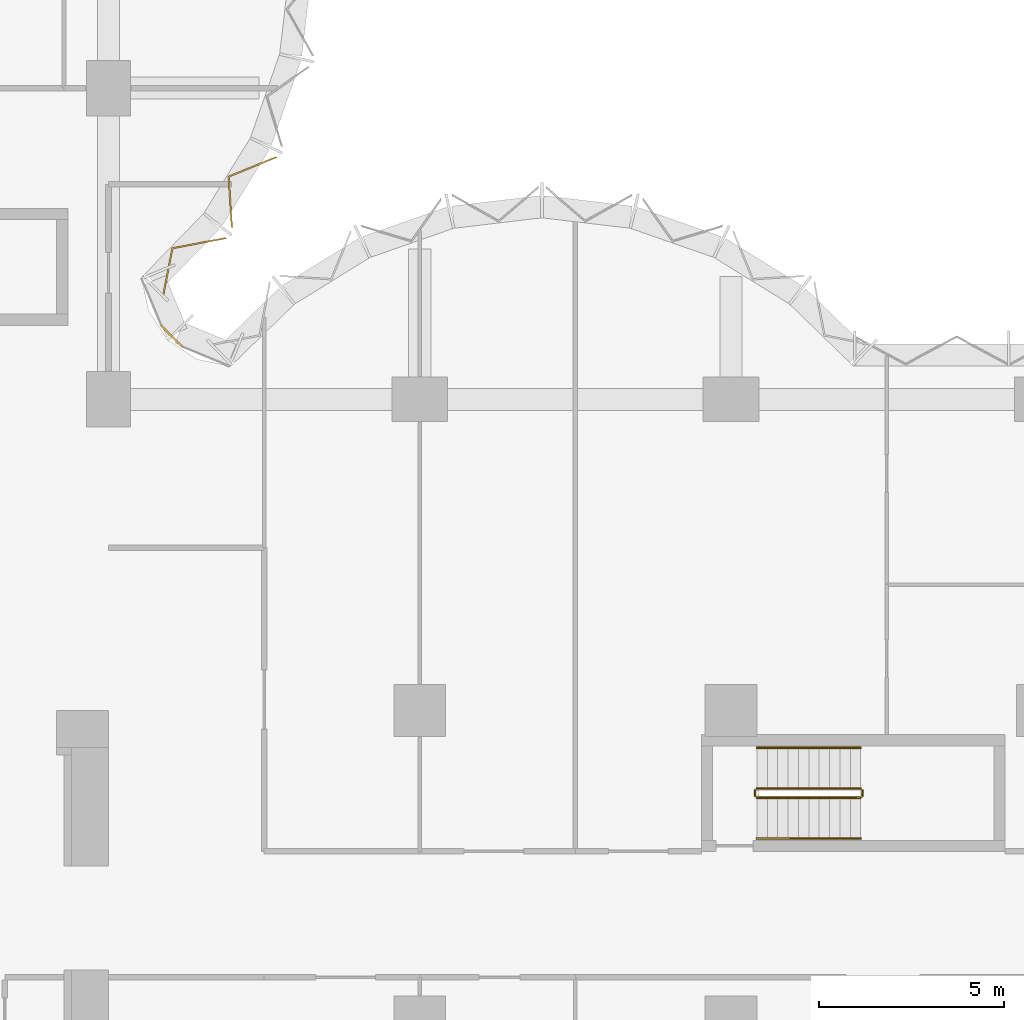
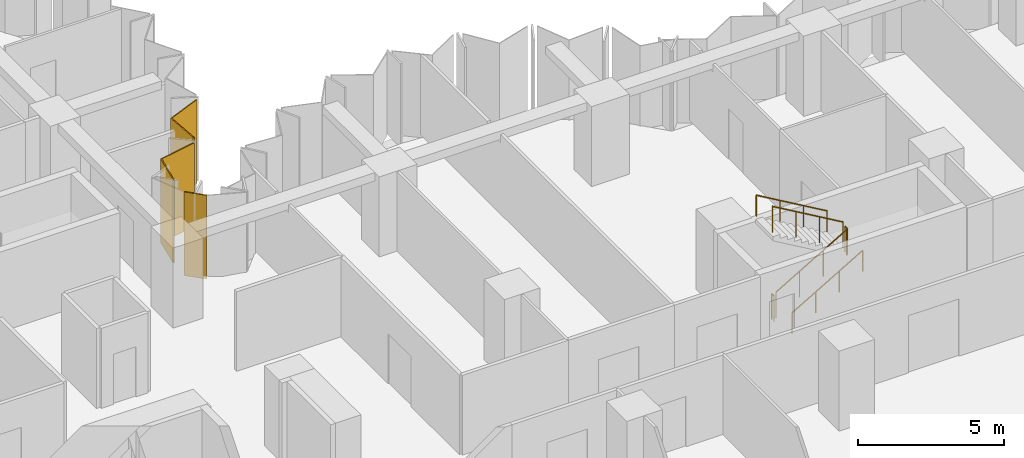
# One storey, part 14 of 15: 6 railings, 3 coverings, 2 elements without a shape of their own.
"""IFC4 building model written with IfcOpenShell, lengths in metres."""

from ifc_helpers import new_model, si_unit, direction, frame, origin, origin_2d, place, context, subcontext, project, spatial, polyline, circle, outline, extrude, material, layer, layer_set, type_object, element, aggregate, save


model = new_model("IFC4")

# Units and contexts
model_context = context("Model", 3, precision=1e-05, world=origin(), true_north=direction((0.0, 1.0)))
body_context = subcontext(model_context, "Body", "Model", "MODEL_VIEW")
ifc_project = project(units=[si_unit("LENGTHUNIT", "METRE"), si_unit("AREAUNIT", "SQUARE_METRE"), si_unit("VOLUMEUNIT", "CUBIC_METRE"), si_unit("PLANEANGLEUNIT", "RADIAN"), si_unit("MASSUNIT", "GRAM", prefix="KILO")], contexts=[model_context])

# Site, building, storey
site_placement = place(None, origin())
site = spatial("IfcSite", under=ifc_project, at=site_placement, CompositionType="ELEMENT")
building_placement = place(site_placement, origin())
building = spatial("IfcBuilding", under=site, at=building_placement, Name="Brevane Broadcast Tower", CompositionType="ELEMENT")
storey_placement = place(building_placement, frame((0.0, 0.0, 72.5)))
storey = spatial("IfcBuildingStorey", under=building, at=storey_placement, Name="L16", CompositionType="ELEMENT", Elevation=72.5)

# Railings
ifc_material_1 = material(Name="Steel S355", Category="steel")
railing_type_1 = type_object("IfcRailingType", Name="Exit stair guard", PredefinedType="GUARDRAIL", material=ifc_material_1)
railing_1_placement = place(storey_placement, frame((42.699951171875, 14.449951171875, 0.16357421875)))
element("IfcRailing", 1, at=railing_1_placement, inside=storey, type_object=railing_type_1, Name="L16 ST-4 stair guard 1", PredefinedType="GUARDRAIL", context=body_context, shape_type="SweptSolid", body=[
    extrude(circle(Radius=0.02392578125, at=origin_2d()), frame((0.0, 0.0, 1.076171875), z_axis=(0.863360870873, 0.0, 0.504586966384), x_axis=(0.0, 1.0, 0.0)), (0.0, 0.0, 1.0), 3.2431640625),
    extrude(circle(Radius=0.02099609375, at=origin_2d()), origin(), (0.0, 0.0, 1.0), 1.052001953125),
    extrude(circle(Radius=0.02099609375, at=origin_2d()), frame((0.933349609375, 0.0, 0.54541015625)), (0.0, 0.0, 1.0), 1.052001953125),
    extrude(circle(Radius=0.02099609375, at=origin_2d()), frame((1.86669921875, 0.0, 1.091064453125)), (0.0, 0.0, 1.0), 1.052001953125),
    extrude(circle(Radius=0.02099609375, at=origin_2d()), frame((2.800048828125, 0.0, 1.636474609375)), (0.0, 0.0, 1.0), 1.052001953125),
])
railing_2_placement = place(storey_placement, frame((45.550048828125, 14.5, 1.800048828125)))
element("IfcRailing", 2, at=railing_2_placement, inside=storey, type_object=railing_type_1, Name="L16 ST-4 stair guard 2", PredefinedType="GUARDRAIL", context=body_context, shape_type="SweptSolid", body=[
    extrude(circle(Radius=0.02392578125, at=origin_2d()), frame((0.0, 0.0, 1.076171875), z_axis=(0.0, 1.0, 0.0), x_axis=(-1.0, 0.0, 0.0)), (0.0, 0.0, 1.0), 0.14990234375),
    extrude(circle(Radius=0.02099609375, at=origin_2d()), origin(), (0.0, 0.0, 1.0), 1.052001953125),
    extrude(circle(Radius=0.02099609375, at=origin_2d()), frame((0.0, 0.14990234375, 0.0)), (0.0, 0.0, 1.0), 1.052001953125),
])
railing_3_placement = place(storey_placement, frame((45.5, 14.699951171875, 1.963623046875)))
element("IfcRailing", 3, at=railing_3_placement, inside=storey, type_object=railing_type_1, Name="L16 ST-4 stair guard 3", PredefinedType="GUARDRAIL", context=body_context, shape_type="SweptSolid", body=[
    extrude(circle(Radius=0.02392578125, at=origin_2d()), frame((0.0, 0.0, 1.076171875), z_axis=(-0.863360870873, 0.0, 0.504586966384), x_axis=(0.0, -1.0, 0.0)), (0.0, 0.0, 1.0), 3.2431640625),
    extrude(circle(Radius=0.02099609375, at=origin_2d()), origin(), (0.0, 0.0, 1.0), 1.052001953125),
    extrude(circle(Radius=0.02099609375, at=origin_2d()), frame((-0.933349609375, 0.0, 0.54541015625)), (0.0, 0.0, 1.0), 1.052001953125),
    extrude(circle(Radius=0.02099609375, at=origin_2d()), frame((-1.86669921875, 0.0, 1.091064453125)), (0.0, 0.0, 1.0), 1.052001953125),
    extrude(circle(Radius=0.02099609375, at=origin_2d()), frame((-2.800048828125, 0.0, 1.636474609375)), (0.0, 0.0, 1.0), 1.052001953125),
])
railing_4_placement = place(storey_placement, frame((42.64990234375, 14.5, 0.0)))
element("IfcRailing", 4, at=railing_4_placement, inside=storey, type_object=railing_type_1, Name="L16 ST-4 stair guard 4", PredefinedType="GUARDRAIL", context=body_context, shape_type="SweptSolid", body=[
    extrude(circle(Radius=0.02392578125, at=origin_2d()), frame((0.0, 0.0, 1.076171875), z_axis=(0.0, 1.0, 0.0), x_axis=(-1.0, 0.0, 0.0)), (0.0, 0.0, 1.0), 0.14990234375),
    extrude(circle(Radius=0.02099609375, at=origin_2d()), origin(), (0.0, 0.0, 1.0), 1.052001953125),
    extrude(circle(Radius=0.02099609375, at=origin_2d()), frame((0.0, 0.14990234375, 0.0)), (0.0, 0.0, 1.0), 1.052001953125),
])
railing_type_2 = type_object("IfcRailingType", Name="Exit stair handrail", PredefinedType="HANDRAIL", material=ifc_material_1)
railing_5_placement = place(storey_placement, frame((42.699951171875, 13.35009765625, 0.16357421875)))
element("IfcRailing", 5, at=railing_5_placement, inside=storey, type_object=railing_type_2, Name="L16 ST-4 stair handrail 1", PredefinedType="HANDRAIL", context=body_context, shape_type="SweptSolid", body=[
    extrude(circle(Radius=0.02392578125, at=origin_2d()), frame((0.0, 0.0, 0.8759765625), z_axis=(0.863360870873, 0.0, 0.504586966384), x_axis=(0.0, 1.0, 0.0)), (0.0, 0.0, 1.0), 3.2431640625),
    extrude(circle(Radius=0.02099609375, at=origin_2d()), origin(), (0.0, 0.0, 1.0), 0.851806640625),
    extrude(circle(Radius=0.02099609375, at=origin_2d()), frame((0.933349609375, 0.0, 0.54541015625)), (0.0, 0.0, 1.0), 0.851806640625),
    extrude(circle(Radius=0.02099609375, at=origin_2d()), frame((1.86669921875, 0.0, 1.091064453125)), (0.0, 0.0, 1.0), 0.851806640625),
    extrude(circle(Radius=0.02099609375, at=origin_2d()), frame((2.800048828125, 0.0, 1.636474609375)), (0.0, 0.0, 1.0), 0.851806640625),
])
railing_6_placement = place(storey_placement, frame((45.5, 15.800048828125, 1.963623046875)))
element("IfcRailing", 6, at=railing_6_placement, inside=storey, type_object=railing_type_2, Name="L16 ST-4 stair handrail 2", PredefinedType="HANDRAIL", context=body_context, shape_type="SweptSolid", body=[
    extrude(circle(Radius=0.02392578125, at=origin_2d()), frame((0.0, 0.0, 0.8759765625), z_axis=(-0.863360870873, 0.0, 0.504586966384), x_axis=(0.0, -1.0, 0.0)), (0.0, 0.0, 1.0), 3.2431640625),
    extrude(circle(Radius=0.02099609375, at=origin_2d()), origin(), (0.0, 0.0, 1.0), 0.851806640625),
    extrude(circle(Radius=0.02099609375, at=origin_2d()), frame((-0.933349609375, 0.0, 0.54541015625)), (0.0, 0.0, 1.0), 0.851806640625),
    extrude(circle(Radius=0.02099609375, at=origin_2d()), frame((-1.86669921875, 0.0, 1.091064453125)), (0.0, 0.0, 1.0), 0.851806640625),
    extrude(circle(Radius=0.02099609375, at=origin_2d()), frame((-2.800048828125, 0.0, 1.636474609375)), (0.0, 0.0, 1.0), 0.851806640625),
])

# Curtain wall, coverings
ifc_material_2 = material(Name="Aluminium 6063-T6 bronze anodised", Category="aluminium")
curtain_wall_type = type_object("IfcCurtainWallType", Name="CW-1 curtain wall", PredefinedType="NOTDEFINED", material=ifc_material_2)
curtain_wall_1_placement = place(storey_placement, origin())
curtain_wall_1 = element("IfcCurtainWall", 7, at=curtain_wall_1_placement, inside=storey, type_object=curtain_wall_type, Name="CW-1 typical tilted unit L16 north bow", PredefinedType="NOTDEFINED")
ifc_material_3 = material(Name="Back-painted bronze glass shadow-box", Category="glass")
ifc_layer = layer(ifc_material_3, 0.0400390625)
ifc_layer_set = layer_set([ifc_layer], Name="Shadow-box panel 40")
covering_type = type_object("IfcCoveringType", Name="Shadow-box panel 40", PredefinedType="CLADDING", material=ifc_layer_set)
covering_1_placement = place(storey_placement, frame((0.0, 0.0, -0.14990234375)))
covering_1 = element("IfcCovering", 8, at=covering_1_placement, type_object=covering_type, Name="Shadow-box panel", PredefinedType="CLADDING", context=body_context, shape_type="SweptSolid", body=[
    extrude(outline(polyline([(26.656005859375, 28.008544921875), (26.690185546875, 27.975341796875), (26.9423828125, 29.2607421875), (28.3857421875, 29.535888671875), (28.34375, 29.568603515625), (26.908203125, 29.294921875), (26.656005859375, 28.008544921875)])), origin(), (0.0, 0.0, 1.0), 3.5),
])
covering_2_placement = place(storey_placement, frame((0.0, 0.0, -0.14990234375)))
covering_2 = element("IfcCovering", 9, at=covering_2_placement, type_object=covering_type, Name="Shadow-box panel", PredefinedType="CLADDING", context=body_context, shape_type="SweptSolid", body=[
    extrude(outline(polyline([(28.5087890625, 29.849609375), (28.551025390625, 29.816650390625), (28.462890625, 31.198486328125), (29.76171875, 31.729736328125), (29.712890625, 31.753173828125), (28.42138671875, 31.224609375), (28.5087890625, 29.849609375)])), origin(), (0.0, 0.0, 1.0), 3.5),
])
aggregate(curtain_wall_1, [covering_1, covering_2])

# Curtain wall, covering
curtain_wall_2_placement = place(storey_placement, origin())
curtain_wall_2 = element("IfcCurtainWall", 10, at=curtain_wall_2_placement, inside=storey, type_object=curtain_wall_type, Name="CW-1 typical tilted unit L16 inner corner", PredefinedType="NOTDEFINED")
covering_3_placement = place(storey_placement, frame((0.0, 0.0, -0.14990234375)))
covering_3 = element("IfcCovering", 11, at=covering_3_placement, type_object=covering_type, Name="Closure panel", PredefinedType="CLADDING", context=body_context, shape_type="SweptSolid", body=[
    extrude(outline(polyline([(27.17138671875, 26.60498046875), (27.2021484375, 26.635498046875), (26.635498046875, 27.2021484375), (26.60498046875, 27.17138671875), (27.17138671875, 26.60498046875)])), origin(), (0.0, 0.0, 1.0), 3.5),
])
aggregate(curtain_wall_2, [covering_3])

save(model, "model.ifc")
